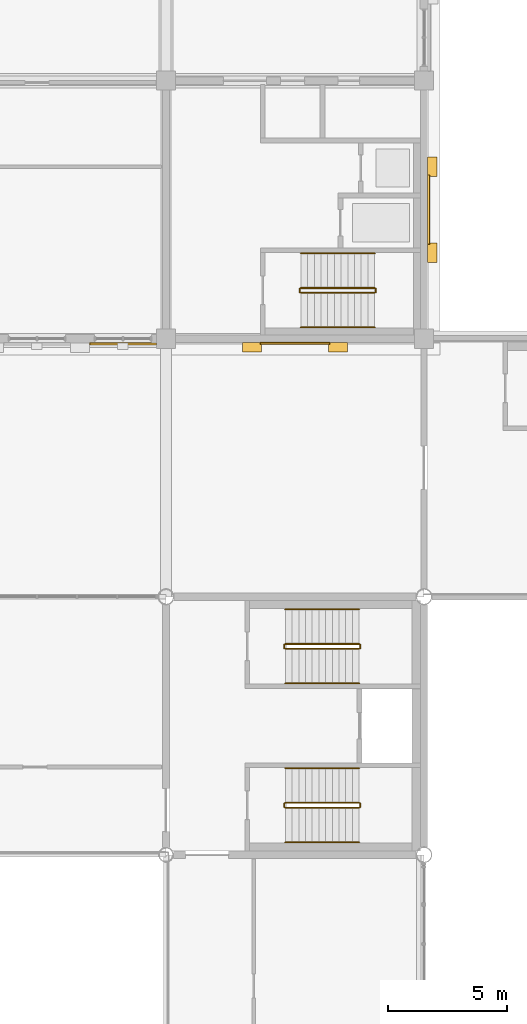
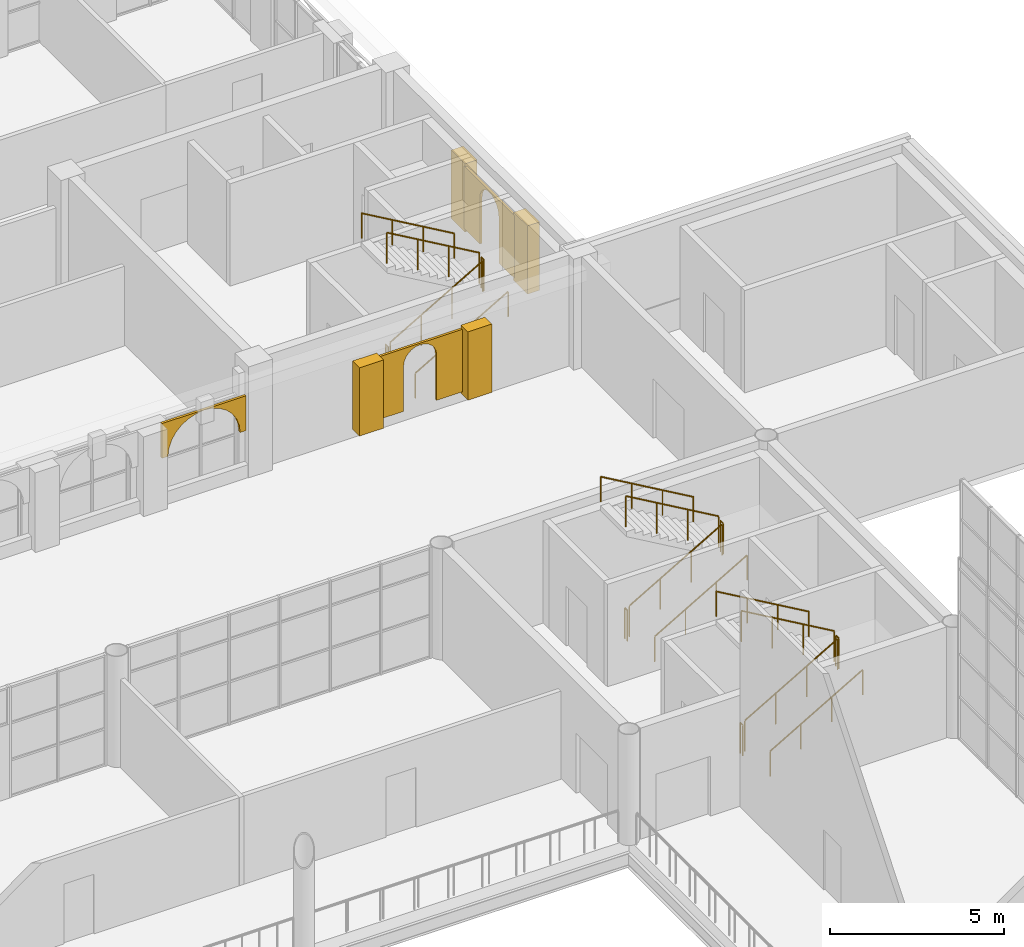
# One storey, part 90 of 95: 18 railings, 7 coverings.
"""IFC4 building model written with IfcOpenShell, lengths in metres."""

from ifc_helpers import new_model, si_unit, direction, frame, origin, origin_2d, place, context, subcontext, project, spatial, polyline, rectangle, circle, outline, extrude, material, layer, layer_set, type_object, element, save


model = new_model("IFC4")

# Units and contexts
model_context = context("Model", 3, precision=1e-05, world=origin(), true_north=direction((0.0, 1.0)))
body_context = subcontext(model_context, "Body", "Model", "MODEL_VIEW")
ifc_project = project(units=[si_unit("LENGTHUNIT", "METRE"), si_unit("AREAUNIT", "SQUARE_METRE"), si_unit("VOLUMEUNIT", "CUBIC_METRE"), si_unit("PLANEANGLEUNIT", "RADIAN"), si_unit("MASSUNIT", "GRAM", prefix="KILO")], contexts=[model_context])

# Site, building, storey
site_placement = place(None, origin())
site = spatial("IfcSite", under=ifc_project, at=site_placement, CompositionType="ELEMENT")
building_placement = place(site_placement, origin())
building = spatial("IfcBuilding", under=site, at=building_placement, Name="Magnolia Steps Interchange", CompositionType="ELEMENT")
storey_placement = place(building_placement, frame((0.0, 0.0, 4.800048828125)))
storey = spatial("IfcBuildingStorey", under=building, at=storey_placement, Name="L01", CompositionType="ELEMENT", Elevation=4.800048828125)

# Coverings
ifc_material_1 = material(Name="Lime render")
ifc_layer_1 = layer(ifc_material_1, 0.080078125)
ifc_layer_set_1 = layer_set([ifc_layer_1], Name="Lime render arch infill")
covering_type_1 = type_object("IfcCoveringType", Name="Lime render arch infill", PredefinedType="CLADDING", material=ifc_layer_set_1)
covering_1_placement = place(storey_placement, frame((104.0, 96.22509765625, 1.579833984375), z_axis=(0.0, 1.0, 0.0), x_axis=(0.0, 0.0, 1.0)))
element("IfcCovering", 1, at=covering_1_placement, inside=storey, type_object=covering_type_1, Name="Arched head over opening g16", PredefinedType="CLADDING", context=body_context, shape_type="SweptSolid", body=[
    extrude(outline(polyline([(0.0, 0.0), (1.220214844, 0.0), (1.220214844, 2.800048828), (0.0, 2.800048828), (0.0, 2.600097656), (0.267089844, 2.569824219), (0.520751953, 2.481201172), (0.748291016, 2.338134766), (0.938232422, 2.148193359), (1.081298828, 1.920654297), (1.169921875, 1.666992188), (1.200195312, 1.399902344), (1.169921875, 1.133056641), (1.081298828, 0.879394531), (0.938232422, 0.651855469), (0.748291016, 0.461914062), (0.520751953, 0.318847656), (0.267089844, 0.229980469), (0.0, 0.199951172), (0.0, 0.0)])), origin(), (0.0, 0.0, -1.0), 0.080078125),
])
covering_2_placement = place(storey_placement, frame((111.14990234375, 96.25, 0.39990234375), z_axis=(0.0, 1.0, 0.0), x_axis=(0.0, 0.0, 1.0)))
element("IfcCovering", 2, at=covering_2_placement, inside=storey, type_object=covering_type_1, Name="Arched niche OC-E L01 S", PredefinedType="CLADDING", context=body_context, shape_type="SweptSolid", body=[
    extrude(outline(polyline([(0.0, 0.0), (2.199951172, 0.0), (2.199951172, 2.900146484), (0.0, 2.900146484), (0.0, 2.0), (1.600097656, 2.0), (1.742431641, 1.981445312), (1.875, 1.926513672), (1.989013672, 1.839111328), (2.076416016, 1.725097656), (2.131347656, 1.592529297), (2.150146484, 1.450195312), (2.131347656, 1.307617188), (2.076416016, 1.175048828), (1.989013672, 1.061279297), (1.875, 0.973876953), (1.742431641, 0.918701172), (1.600097656, 0.900146484), (0.0, 0.900146484), (0.0, 0.0)])), origin(), (0.0, 0.0, -1.0), 0.080078125),
])
covering_3_placement = place(storey_placement, frame((118.14990234375, 100.35009765625, 0.39990234375), z_axis=(-1.0, 0.0, 0.0), x_axis=(0.0, 0.0, 1.0)))
element("IfcCovering", 3, at=covering_3_placement, inside=storey, type_object=covering_type_1, Name="Arched niche OC-E L01 E", PredefinedType="CLADDING", context=body_context, shape_type="SweptSolid", body=[
    extrude(outline(polyline([(0.0, 0.0), (2.199951172, 0.0), (2.199951172, 2.899902344), (0.0, 2.899902344), (0.0, 2.0), (1.600097656, 2.0), (1.742431641, 1.981201172), (1.875, 1.926269531), (1.989013672, 1.838867188), (2.076416016, 1.724853516), (2.131347656, 1.592285156), (2.150146484, 1.449951172), (2.131347656, 1.307617188), (2.076416016, 1.174804688), (1.989013672, 1.061035156), (1.875, 0.973632812), (1.742431641, 0.918701172), (1.600097656, 0.899902344), (0.0, 0.899902344), (0.0, 0.0)])), origin(), (0.0, 0.0, -1.0), 0.080078125),
])
ifc_material_2 = material(Name="Lime render")
ifc_layer_2 = layer(ifc_material_2, 0.39990234375)
ifc_layer_set_2 = layer_set([ifc_layer_2], Name="Lime render pilaster")
covering_type_2 = type_object("IfcCoveringType", Name="Lime render pilaster", PredefinedType="CLADDING", material=ifc_layer_set_2)
for number, where, z_axis, x_axis, name in (
    (4, (110.800048828125, 96.050048828125, 0.300048828125), (0.0, 0.0, 1.0), (1.0, 0.0, 0.0), "Core pilaster OC-E L01 S 1"),
    (5, (114.39990234375, 96.050048828125, 0.300048828125), (0.0, 0.0, 1.0), (1.0, 0.0, 0.0), "Core pilaster OC-E L01 S 2"),
):
    element("IfcCovering", number, at=place(storey_placement, frame(where, z_axis=z_axis, x_axis=x_axis)), inside=storey, type_object=covering_type_2, Name=name, PredefinedType="CLADDING", context=body_context, shape_type="SweptSolid", body=[
        extrude(rectangle(XDim=0.800048828125, YDim=0.39990234375, at=origin_2d()), origin(), (0.0, 0.0, 1.0), 2.39990234375),
    ])
for number, where, z_axis, x_axis, name in (
    (6, (118.35009765625, 100.0, 0.300048828125), (0.0, 0.0, 1.0), (1.0, 0.0, 0.0), "Core pilaster OC-E L01 E 1"),
    (7, (118.35009765625, 103.60009765625, 0.300048828125), (0.0, 0.0, 1.0), (1.0, 0.0, 0.0), "Core pilaster OC-E L01 E 2"),
):
    element("IfcCovering", number, at=place(storey_placement, frame(where, z_axis=z_axis, x_axis=x_axis)), inside=storey, type_object=covering_type_2, Name=name, PredefinedType="CLADDING", context=body_context, shape_type="SweptSolid", body=[
        extrude(rectangle(XDim=0.39990234375, YDim=0.800048828125, at=origin_2d()), origin(), (0.0, 0.0, 1.0), 2.39990234375),
    ])

# Railings
ifc_material_3 = material(Name="Stainless steel grade 304", Category="steel")
railing_type_1 = type_object("IfcRailingType", Name="Stair guard 1100", PredefinedType="GUARDRAIL", material=ifc_material_3)
railing_1_placement = place(storey_placement, frame((112.199951171875, 83.426025390625, 0.162353515625)))
element("IfcRailing", 8, at=railing_1_placement, inside=storey, type_object=railing_type_1, Name="L01 ST3 stair guard 1", PredefinedType="GUARDRAIL", context=body_context, shape_type="SweptSolid", body=[
    extrude(circle(Radius=0.02392578125, at=origin_2d()), frame((0.0, 0.0, 1.076171875), z_axis=(0.864890721111, 0.0, 0.501960198159), x_axis=(0.0, 1.0, 0.0)), (0.0, 0.0, 1.0), 3.561279296875),
    extrude(circle(Radius=0.02099609375, at=origin_2d()), origin(), (0.0, 0.0, 1.0), 1.052001953125),
    extrude(circle(Radius=0.02099609375, at=origin_2d()), frame((1.026611328125, 0.0, 0.595947265625)), (0.0, 0.0, 1.0), 1.052001953125),
    extrude(circle(Radius=0.02099609375, at=origin_2d()), frame((2.053466796875, 0.0, 1.191650390625)), (0.0, 0.0, 1.0), 1.052001953125),
    extrude(circle(Radius=0.02099609375, at=origin_2d()), frame((3.080078125, 0.0, 1.78759765625)), (0.0, 0.0, 1.0), 1.052001953125),
])
railing_2_placement = place(storey_placement, frame((115.330078125, 83.449951171875, 1.949951171875)))
element("IfcRailing", 9, at=railing_2_placement, inside=storey, type_object=railing_type_1, Name="L01 ST3 stair guard 2", PredefinedType="GUARDRAIL", context=body_context, shape_type="SweptSolid", body=[
    extrude(circle(Radius=0.02392578125, at=origin_2d()), frame((0.0, 0.0, 1.076171875), z_axis=(0.0, 1.0, 0.0), x_axis=(-1.0, 0.0, 0.0)), (0.0, 0.0, 1.0), 0.150146484375),
    extrude(circle(Radius=0.02099609375, at=origin_2d()), origin(), (0.0, 0.0, 1.0), 1.052001953125),
    extrude(circle(Radius=0.02099609375, at=origin_2d()), frame((0.0, 0.150146484375, 0.0)), (0.0, 0.0, 1.0), 1.052001953125),
])
railing_3_placement = place(storey_placement, frame((115.280029296875, 83.6240234375, 2.112548828125)))
element("IfcRailing", 10, at=railing_3_placement, inside=storey, type_object=railing_type_1, Name="L01 ST3 stair guard 3", PredefinedType="GUARDRAIL", context=body_context, shape_type="SweptSolid", body=[
    extrude(circle(Radius=0.02392578125, at=origin_2d()), frame((0.0, 0.0, 1.076171875), z_axis=(-0.864920483161, 0.0, 0.501908913857), x_axis=(0.0, -1.0, 0.0)), (0.0, 0.0, 1.0), 3.56103515625),
    extrude(circle(Radius=0.02099609375, at=origin_2d()), origin(), (0.0, 0.0, 1.0), 1.052001953125),
    extrude(circle(Radius=0.02099609375, at=origin_2d()), frame((-1.026611328125, 0.0, 0.595703125)), (0.0, 0.0, 1.0), 1.052001953125),
    extrude(circle(Radius=0.02099609375, at=origin_2d()), frame((-2.053466796875, 0.0, 1.191650390625)), (0.0, 0.0, 1.0), 1.052001953125),
    extrude(circle(Radius=0.02099609375, at=origin_2d()), frame((-3.080078125, 0.0, 1.787353515625)), (0.0, 0.0, 1.0), 1.052001953125),
])
railing_4_placement = place(storey_placement, frame((112.14990234375, 83.449951171875, 0.0)))
element("IfcRailing", 11, at=railing_4_placement, inside=storey, type_object=railing_type_1, Name="L01 ST3 stair guard 4", PredefinedType="GUARDRAIL", context=body_context, shape_type="SweptSolid", body=[
    extrude(circle(Radius=0.02392578125, at=origin_2d()), frame((0.0, 0.0, 1.076171875), z_axis=(0.0, 1.0, 0.0), x_axis=(-1.0, 0.0, 0.0)), (0.0, 0.0, 1.0), 0.150146484375),
    extrude(circle(Radius=0.02099609375, at=origin_2d()), origin(), (0.0, 0.0, 1.0), 1.052001953125),
    extrude(circle(Radius=0.02099609375, at=origin_2d()), frame((0.0, 0.150146484375, 0.0)), (0.0, 0.0, 1.0), 1.052001953125),
])
railing_5_placement = place(storey_placement, frame((112.199951171875, 76.77587890625, 0.162353515625)))
element("IfcRailing", 12, at=railing_5_placement, inside=storey, type_object=railing_type_1, Name="L01 ST4 stair guard 1", PredefinedType="GUARDRAIL", context=body_context, shape_type="SweptSolid", body=[
    extrude(circle(Radius=0.02392578125, at=origin_2d()), frame((0.0, 0.0, 1.076171875), z_axis=(0.864890721111, 0.0, 0.501960198159), x_axis=(0.0, 1.0, 0.0)), (0.0, 0.0, 1.0), 3.561279296875),
    extrude(circle(Radius=0.02099609375, at=origin_2d()), origin(), (0.0, 0.0, 1.0), 1.052001953125),
    extrude(circle(Radius=0.02099609375, at=origin_2d()), frame((1.026611328125, 0.0, 0.595947265625)), (0.0, 0.0, 1.0), 1.052001953125),
    extrude(circle(Radius=0.02099609375, at=origin_2d()), frame((2.053466796875, 0.0, 1.191650390625)), (0.0, 0.0, 1.0), 1.052001953125),
    extrude(circle(Radius=0.02099609375, at=origin_2d()), frame((3.080078125, 0.0, 1.78759765625)), (0.0, 0.0, 1.0), 1.052001953125),
])
railing_6_placement = place(storey_placement, frame((115.330078125, 76.800048828125, 1.949951171875)))
element("IfcRailing", 13, at=railing_6_placement, inside=storey, type_object=railing_type_1, Name="L01 ST4 stair guard 2", PredefinedType="GUARDRAIL", context=body_context, shape_type="SweptSolid", body=[
    extrude(circle(Radius=0.02392578125, at=origin_2d()), frame((0.0, 0.0, 1.076171875), z_axis=(0.0, 1.0, 0.0), x_axis=(-1.0, 0.0, 0.0)), (0.0, 0.0, 1.0), 0.14990234375),
    extrude(circle(Radius=0.02099609375, at=origin_2d()), origin(), (0.0, 0.0, 1.0), 1.052001953125),
    extrude(circle(Radius=0.02099609375, at=origin_2d()), frame((0.0, 0.14990234375, 0.0)), (0.0, 0.0, 1.0), 1.052001953125),
])
railing_7_placement = place(storey_placement, frame((115.280029296875, 76.97412109375, 2.112548828125)))
element("IfcRailing", 14, at=railing_7_placement, inside=storey, type_object=railing_type_1, Name="L01 ST4 stair guard 3", PredefinedType="GUARDRAIL", context=body_context, shape_type="SweptSolid", body=[
    extrude(circle(Radius=0.02392578125, at=origin_2d()), frame((0.0, 0.0, 1.076171875), z_axis=(-0.864920483161, 0.0, 0.501908913857), x_axis=(0.0, -1.0, 0.0)), (0.0, 0.0, 1.0), 3.56103515625),
    extrude(circle(Radius=0.02099609375, at=origin_2d()), origin(), (0.0, 0.0, 1.0), 1.052001953125),
    extrude(circle(Radius=0.02099609375, at=origin_2d()), frame((-1.026611328125, 0.0, 0.595703125)), (0.0, 0.0, 1.0), 1.052001953125),
    extrude(circle(Radius=0.02099609375, at=origin_2d()), frame((-2.053466796875, 0.0, 1.191650390625)), (0.0, 0.0, 1.0), 1.052001953125),
    extrude(circle(Radius=0.02099609375, at=origin_2d()), frame((-3.080078125, 0.0, 1.787353515625)), (0.0, 0.0, 1.0), 1.052001953125),
])
railing_8_placement = place(storey_placement, frame((112.14990234375, 76.800048828125, 0.0)))
element("IfcRailing", 15, at=railing_8_placement, inside=storey, type_object=railing_type_1, Name="L01 ST4 stair guard 4", PredefinedType="GUARDRAIL", context=body_context, shape_type="SweptSolid", body=[
    extrude(circle(Radius=0.02392578125, at=origin_2d()), frame((0.0, 0.0, 1.076171875), z_axis=(0.0, 1.0, 0.0), x_axis=(-1.0, 0.0, 0.0)), (0.0, 0.0, 1.0), 0.14990234375),
    extrude(circle(Radius=0.02099609375, at=origin_2d()), origin(), (0.0, 0.0, 1.0), 1.052001953125),
    extrude(circle(Radius=0.02099609375, at=origin_2d()), frame((0.0, 0.14990234375, 0.0)), (0.0, 0.0, 1.0), 1.052001953125),
])
railing_9_placement = place(storey_placement, frame((112.85009765625, 98.325927734375, 0.162353515625)))
element("IfcRailing", 16, at=railing_9_placement, inside=storey, type_object=railing_type_1, Name="L01 ST29 stair guard 1", PredefinedType="GUARDRAIL", context=body_context, shape_type="SweptSolid", body=[
    extrude(circle(Radius=0.02392578125, at=origin_2d()), frame((0.0, 0.0, 1.076171875), z_axis=(0.864873446163, 0.0, 0.501989962173), x_axis=(0.0, 1.0, 0.0)), (0.0, 0.0, 1.0), 3.56103515625),
    extrude(circle(Radius=0.02099609375, at=origin_2d()), origin(), (0.0, 0.0, 1.0), 1.052001953125),
    extrude(circle(Radius=0.02099609375, at=origin_2d()), frame((1.026611328125, 0.0, 0.595947265625)), (0.0, 0.0, 1.0), 1.052001953125),
    extrude(circle(Radius=0.02099609375, at=origin_2d()), frame((2.05322265625, 0.0, 1.191650390625)), (0.0, 0.0, 1.0), 1.052001953125),
    extrude(circle(Radius=0.02099609375, at=origin_2d()), frame((3.079833984375, 0.0, 1.78759765625)), (0.0, 0.0, 1.0), 1.052001953125),
])
railing_10_placement = place(storey_placement, frame((115.97998046875, 98.35009765625, 1.949951171875)))
element("IfcRailing", 17, at=railing_10_placement, inside=storey, type_object=railing_type_1, Name="L01 ST29 stair guard 2", PredefinedType="GUARDRAIL", context=body_context, shape_type="SweptSolid", body=[
    extrude(circle(Radius=0.02392578125, at=origin_2d()), frame((0.0, 0.0, 1.076171875), z_axis=(0.0, 1.0, 0.0), x_axis=(-1.0, 0.0, 0.0)), (0.0, 0.0, 1.0), 0.14990234375),
    extrude(circle(Radius=0.02099609375, at=origin_2d()), origin(), (0.0, 0.0, 1.0), 1.052001953125),
    extrude(circle(Radius=0.02099609375, at=origin_2d()), frame((0.0, 0.14990234375, 0.0)), (0.0, 0.0, 1.0), 1.052001953125),
])
railing_11_placement = place(storey_placement, frame((115.929931640625, 98.52392578125, 2.112548828125)))
element("IfcRailing", 18, at=railing_11_placement, inside=storey, type_object=railing_type_1, Name="L01 ST29 stair guard 3", PredefinedType="GUARDRAIL", context=body_context, shape_type="SweptSolid", body=[
    extrude(circle(Radius=0.02392578125, at=origin_2d()), frame((0.0, 0.0, 1.076171875), z_axis=(-0.864903211148, 0.0, 0.501938676878), x_axis=(0.0, -1.0, 0.0)), (0.0, 0.0, 1.0), 3.560791015625),
    extrude(circle(Radius=0.02099609375, at=origin_2d()), origin(), (0.0, 0.0, 1.0), 1.052001953125),
    extrude(circle(Radius=0.02099609375, at=origin_2d()), frame((-1.026611328125, 0.0, 0.595703125)), (0.0, 0.0, 1.0), 1.052001953125),
    extrude(circle(Radius=0.02099609375, at=origin_2d()), frame((-2.05322265625, 0.0, 1.191650390625)), (0.0, 0.0, 1.0), 1.052001953125),
    extrude(circle(Radius=0.02099609375, at=origin_2d()), frame((-3.079833984375, 0.0, 1.787353515625)), (0.0, 0.0, 1.0), 1.052001953125),
])
railing_12_placement = place(storey_placement, frame((112.800048828125, 98.35009765625, 0.0)))
element("IfcRailing", 19, at=railing_12_placement, inside=storey, type_object=railing_type_1, Name="L01 ST29 stair guard 4", PredefinedType="GUARDRAIL", context=body_context, shape_type="SweptSolid", body=[
    extrude(circle(Radius=0.02392578125, at=origin_2d()), frame((0.0, 0.0, 1.076171875), z_axis=(0.0, 1.0, 0.0), x_axis=(-1.0, 0.0, 0.0)), (0.0, 0.0, 1.0), 0.14990234375),
    extrude(circle(Radius=0.02099609375, at=origin_2d()), origin(), (0.0, 0.0, 1.0), 1.052001953125),
    extrude(circle(Radius=0.02099609375, at=origin_2d()), frame((0.0, 0.14990234375, 0.0)), (0.0, 0.0, 1.0), 1.052001953125),
])
ifc_material_4 = material(Name="Stainless steel grade 304", Category="steel")
railing_type_2 = type_object("IfcRailingType", Name="Stair handrail 900", PredefinedType="HANDRAIL", material=ifc_material_4)
railing_13_placement = place(storey_placement, frame((112.199951171875, 81.97412109375, 0.162353515625)))
element("IfcRailing", 20, at=railing_13_placement, inside=storey, type_object=railing_type_2, Name="L01 ST3 stair handrail 1", PredefinedType="HANDRAIL", context=body_context, shape_type="SweptSolid", body=[
    extrude(circle(Radius=0.02392578125, at=origin_2d()), frame((0.0, 0.0, 0.8759765625), z_axis=(0.864890721111, 0.0, 0.501960198159), x_axis=(0.0, 1.0, 0.0)), (0.0, 0.0, 1.0), 3.561279296875),
    extrude(circle(Radius=0.02099609375, at=origin_2d()), origin(), (0.0, 0.0, 1.0), 0.851806640625),
    extrude(circle(Radius=0.02099609375, at=origin_2d()), frame((1.026611328125, 0.0, 0.595947265625)), (0.0, 0.0, 1.0), 0.851806640625),
    extrude(circle(Radius=0.02099609375, at=origin_2d()), frame((2.053466796875, 0.0, 1.191650390625)), (0.0, 0.0, 1.0), 0.851806640625),
    extrude(circle(Radius=0.02099609375, at=origin_2d()), frame((3.080078125, 0.0, 1.78759765625)), (0.0, 0.0, 1.0), 0.851806640625),
])
railing_14_placement = place(storey_placement, frame((115.280029296875, 85.075927734375, 2.112548828125)))
element("IfcRailing", 21, at=railing_14_placement, inside=storey, type_object=railing_type_2, Name="L01 ST3 stair handrail 2", PredefinedType="HANDRAIL", context=body_context, shape_type="SweptSolid", body=[
    extrude(circle(Radius=0.02392578125, at=origin_2d()), frame((0.0, 0.0, 0.8759765625), z_axis=(-0.864920483161, 0.0, 0.501908913857), x_axis=(0.0, -1.0, 0.0)), (0.0, 0.0, 1.0), 3.56103515625),
    extrude(circle(Radius=0.02099609375, at=origin_2d()), origin(), (0.0, 0.0, 1.0), 0.851806640625),
    extrude(circle(Radius=0.02099609375, at=origin_2d()), frame((-1.026611328125, 0.0, 0.595703125)), (0.0, 0.0, 1.0), 0.851806640625),
    extrude(circle(Radius=0.02099609375, at=origin_2d()), frame((-2.053466796875, 0.0, 1.191650390625)), (0.0, 0.0, 1.0), 0.851806640625),
    extrude(circle(Radius=0.02099609375, at=origin_2d()), frame((-3.080078125, 0.0, 1.787353515625)), (0.0, 0.0, 1.0), 0.851806640625),
])
railing_15_placement = place(storey_placement, frame((112.199951171875, 75.323974609375, 0.162353515625)))
element("IfcRailing", 22, at=railing_15_placement, inside=storey, type_object=railing_type_2, Name="L01 ST4 stair handrail 1", PredefinedType="HANDRAIL", context=body_context, shape_type="SweptSolid", body=[
    extrude(circle(Radius=0.02392578125, at=origin_2d()), frame((0.0, 0.0, 0.8759765625), z_axis=(0.864890721111, 0.0, 0.501960198159), x_axis=(0.0, 1.0, 0.0)), (0.0, 0.0, 1.0), 3.561279296875),
    extrude(circle(Radius=0.02099609375, at=origin_2d()), origin(), (0.0, 0.0, 1.0), 0.851806640625),
    extrude(circle(Radius=0.02099609375, at=origin_2d()), frame((1.026611328125, 0.0, 0.595947265625)), (0.0, 0.0, 1.0), 0.851806640625),
    extrude(circle(Radius=0.02099609375, at=origin_2d()), frame((2.053466796875, 0.0, 1.191650390625)), (0.0, 0.0, 1.0), 0.851806640625),
    extrude(circle(Radius=0.02099609375, at=origin_2d()), frame((3.080078125, 0.0, 1.78759765625)), (0.0, 0.0, 1.0), 0.851806640625),
])
railing_16_placement = place(storey_placement, frame((115.280029296875, 78.426025390625, 2.112548828125)))
element("IfcRailing", 23, at=railing_16_placement, inside=storey, type_object=railing_type_2, Name="L01 ST4 stair handrail 2", PredefinedType="HANDRAIL", context=body_context, shape_type="SweptSolid", body=[
    extrude(circle(Radius=0.02392578125, at=origin_2d()), frame((0.0, 0.0, 0.8759765625), z_axis=(-0.864920483161, 0.0, 0.501908913857), x_axis=(0.0, -1.0, 0.0)), (0.0, 0.0, 1.0), 3.56103515625),
    extrude(circle(Radius=0.02099609375, at=origin_2d()), origin(), (0.0, 0.0, 1.0), 0.851806640625),
    extrude(circle(Radius=0.02099609375, at=origin_2d()), frame((-1.026611328125, 0.0, 0.595703125)), (0.0, 0.0, 1.0), 0.851806640625),
    extrude(circle(Radius=0.02099609375, at=origin_2d()), frame((-2.053466796875, 0.0, 1.191650390625)), (0.0, 0.0, 1.0), 0.851806640625),
    extrude(circle(Radius=0.02099609375, at=origin_2d()), frame((-3.080078125, 0.0, 1.787353515625)), (0.0, 0.0, 1.0), 0.851806640625),
])
railing_17_placement = place(storey_placement, frame((112.85009765625, 96.8740234375, 0.162353515625)))
element("IfcRailing", 24, at=railing_17_placement, inside=storey, type_object=railing_type_2, Name="L01 ST29 stair handrail 1", PredefinedType="HANDRAIL", context=body_context, shape_type="SweptSolid", body=[
    extrude(circle(Radius=0.02392578125, at=origin_2d()), frame((0.0, 0.0, 0.8759765625), z_axis=(0.864873446163, 0.0, 0.501989962173), x_axis=(0.0, 1.0, 0.0)), (0.0, 0.0, 1.0), 3.56103515625),
    extrude(circle(Radius=0.02099609375, at=origin_2d()), origin(), (0.0, 0.0, 1.0), 0.851806640625),
    extrude(circle(Radius=0.02099609375, at=origin_2d()), frame((1.026611328125, 0.0, 0.595947265625)), (0.0, 0.0, 1.0), 0.851806640625),
    extrude(circle(Radius=0.02099609375, at=origin_2d()), frame((2.05322265625, 0.0, 1.191650390625)), (0.0, 0.0, 1.0), 0.851806640625),
    extrude(circle(Radius=0.02099609375, at=origin_2d()), frame((3.079833984375, 0.0, 1.78759765625)), (0.0, 0.0, 1.0), 0.851806640625),
])
railing_18_placement = place(storey_placement, frame((115.929931640625, 99.97607421875, 2.112548828125)))
element("IfcRailing", 25, at=railing_18_placement, inside=storey, type_object=railing_type_2, Name="L01 ST29 stair handrail 2", PredefinedType="HANDRAIL", context=body_context, shape_type="SweptSolid", body=[
    extrude(circle(Radius=0.02392578125, at=origin_2d()), frame((0.0, 0.0, 0.8759765625), z_axis=(-0.864903211148, 0.0, 0.501938676878), x_axis=(0.0, -1.0, 0.0)), (0.0, 0.0, 1.0), 3.560791015625),
    extrude(circle(Radius=0.02099609375, at=origin_2d()), origin(), (0.0, 0.0, 1.0), 0.851806640625),
    extrude(circle(Radius=0.02099609375, at=origin_2d()), frame((-1.026611328125, 0.0, 0.595703125)), (0.0, 0.0, 1.0), 0.851806640625),
    extrude(circle(Radius=0.02099609375, at=origin_2d()), frame((-2.05322265625, 0.0, 1.191650390625)), (0.0, 0.0, 1.0), 0.851806640625),
    extrude(circle(Radius=0.02099609375, at=origin_2d()), frame((-3.079833984375, 0.0, 1.787353515625)), (0.0, 0.0, 1.0), 0.851806640625),
])

save(model, "model.ifc")
